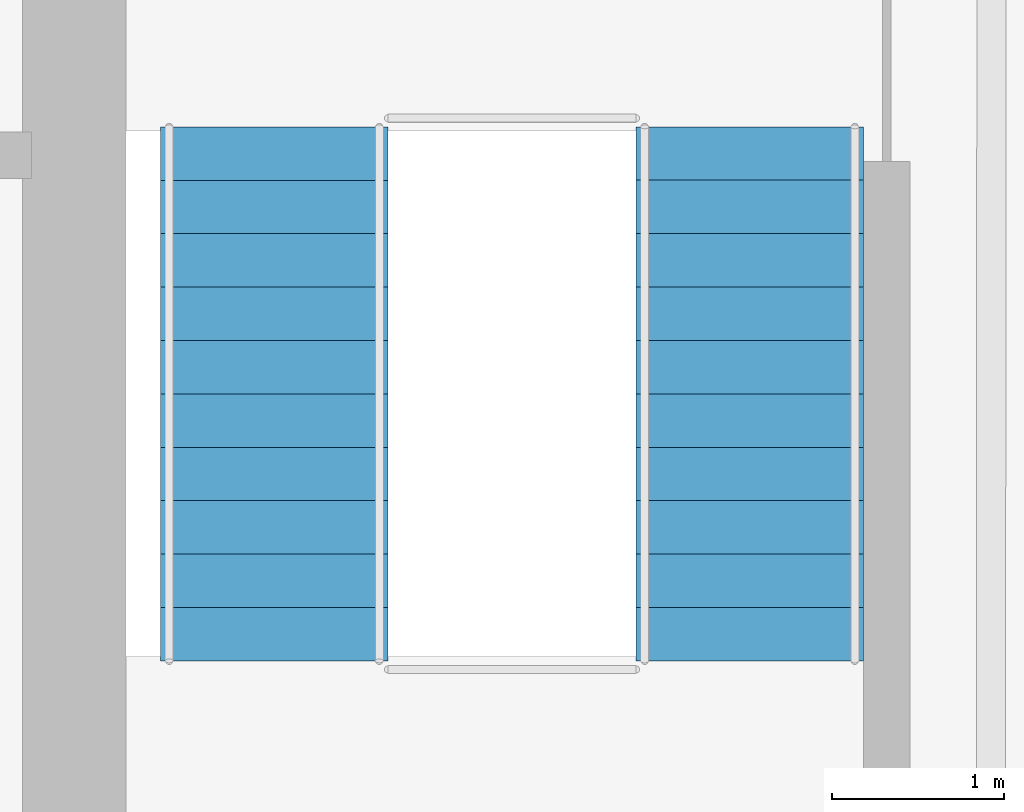
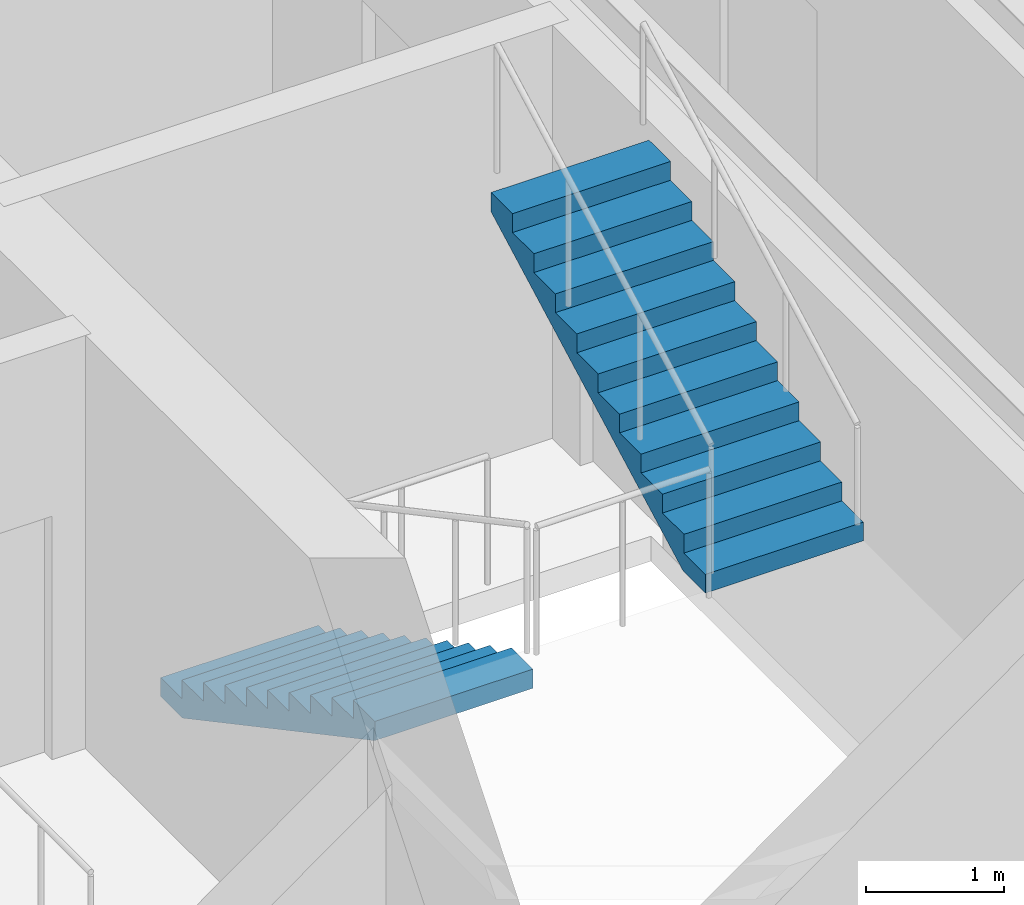
# One storey, part 18 of 20: 2 stair flights, 1 element without a shape of its own.
"""IFC4 building model written with IfcOpenShell, lengths in metres."""

from ifc_helpers import new_model, si_unit, direction, frame, origin, place, context, subcontext, project, spatial, polyline, outline, extrude, material, type_object, element, aggregate, save


model = new_model("IFC4")

# Units and contexts
model_context = context("Model", 3, precision=1e-05, world=origin(), true_north=direction((0.0, 1.0)))
body_context = subcontext(model_context, "Body", "Model", "MODEL_VIEW")
ifc_project = project(units=[si_unit("LENGTHUNIT", "METRE"), si_unit("AREAUNIT", "SQUARE_METRE"), si_unit("VOLUMEUNIT", "CUBIC_METRE"), si_unit("PLANEANGLEUNIT", "RADIAN"), si_unit("MASSUNIT", "GRAM", prefix="KILO")], contexts=[model_context])

# Site, building, storey
site_placement = place(None, origin())
site = spatial("IfcSite", under=ifc_project, at=site_placement, CompositionType="ELEMENT")
building_placement = place(site_placement, origin())
building = spatial("IfcBuilding", under=site, at=building_placement, Name="Lazwardi Medical Tower", CompositionType="ELEMENT")
storey_placement = place(building_placement, frame((0.0, 0.0, 149.23193359375)))
storey = spatial("IfcBuildingStorey", under=building, at=storey_placement, Name="L38", CompositionType="ELEMENT", Elevation=149.23193359375)

# Stair, stair flights
ifc_material = material(Name="Concrete C45/55", Category="concrete")
stair_type = type_object("IfcStairType", Name="STR-WRD", PredefinedType="HALF_TURN_STAIR", material=ifc_material)
stair_placement = place(storey_placement, origin())
stair = element("IfcStair", 1, at=stair_placement, inside=storey, type_object=stair_type, Name="L38 Protected Exit Stair ST3", PredefinedType="HALF_TURN_STAIR")
stair_flight_type = type_object("IfcStairFlightType", Name="FLT-WRD", PredefinedType="STRAIGHT", material=ifc_material)
stair_flight_1_placement = place(storey_placement, frame((46.860107421875, 30.39990234375, 0.0), z_axis=(0.0, 0.0, 1.0), x_axis=(0.0, -1.0, 0.0)))
stair_flight_1 = element("IfcStairFlight", 2, at=stair_flight_1_placement, type_object=stair_flight_type, Name="ST3 flight 1", NumberOfRisers=11, NumberOfTreads=10, PredefinedType="STRAIGHT", RiserHeight=0.165818182, TreadLength=0.31, context=body_context, shape_type="SweptSolid", body=[
    extrude(outline(polyline([(0.0, 0.0), (0.0, 0.165771484375), (0.31005859375, 0.165771484375), (0.31005859375, 0.33154296875), (0.6201171875, 0.33154296875), (0.6201171875, 0.49755859375), (0.929931640625, 0.49755859375), (0.929931640625, 0.663330078125), (1.239990234375, 0.663330078125), (1.239990234375, 0.8291015625), (1.550048828125, 0.8291015625), (1.550048828125, 0.994873046875), (1.860107421875, 0.994873046875), (1.860107421875, 1.16064453125), (2.169921875, 1.16064453125), (2.169921875, 1.32666015625), (2.47998046875, 1.32666015625), (2.47998046875, 1.492431640625), (2.7900390625, 1.492431640625), (2.7900390625, 1.658203125), (3.10009765625, 1.658203125), (3.10009765625, 1.823974609375), (3.10009765625, 1.48828125), (0.31787109375, 0.0), (0.0, 0.0)])), frame((0.0, 0.66015625, 0.0), z_axis=(0.0, -1.0, 0.0), x_axis=(1.0, 0.0, 0.0)), (0.0, 0.0, 1.0), 1.320068359375),
])
stair_flight_2_placement = place(storey_placement, frame((49.6201171875, 27.300048828125, 1.823974609375), z_axis=(0.0, 0.0, 1.0), x_axis=(0.0, 1.0, 0.0)))
stair_flight_2 = element("IfcStairFlight", 3, at=stair_flight_2_placement, type_object=stair_flight_type, Name="ST3 flight 2", NumberOfRisers=11, NumberOfTreads=10, PredefinedType="STRAIGHT", RiserHeight=0.165818182, TreadLength=0.31, context=body_context, shape_type="SweptSolid", body=[
    extrude(outline(polyline([(0.0, 0.0), (0.0, 0.165771484375), (0.31005859375, 0.165771484375), (0.31005859375, 0.33154296875), (0.6201171875, 0.33154296875), (0.6201171875, 0.49755859375), (0.929931640625, 0.49755859375), (0.929931640625, 0.663330078125), (1.239990234375, 0.663330078125), (1.239990234375, 0.8291015625), (1.550048828125, 0.8291015625), (1.550048828125, 0.994873046875), (1.860107421875, 0.994873046875), (1.860107421875, 1.16064453125), (2.169921875, 1.16064453125), (2.169921875, 1.32666015625), (2.47998046875, 1.32666015625), (2.47998046875, 1.492431640625), (2.7900390625, 1.492431640625), (2.7900390625, 1.658203125), (3.10009765625, 1.658203125), (3.10009765625, 1.823974609375), (3.10009765625, 1.48828125), (0.31787109375, 0.0), (0.0, 0.0)])), frame((0.0, 0.66015625, 0.0), z_axis=(0.0, -1.0, 0.0), x_axis=(1.0, 0.0, 0.0)), (0.0, 0.0, 1.0), 1.320068359375),
])
aggregate(stair, [stair_flight_1, stair_flight_2])

save(model, "model.ifc")
